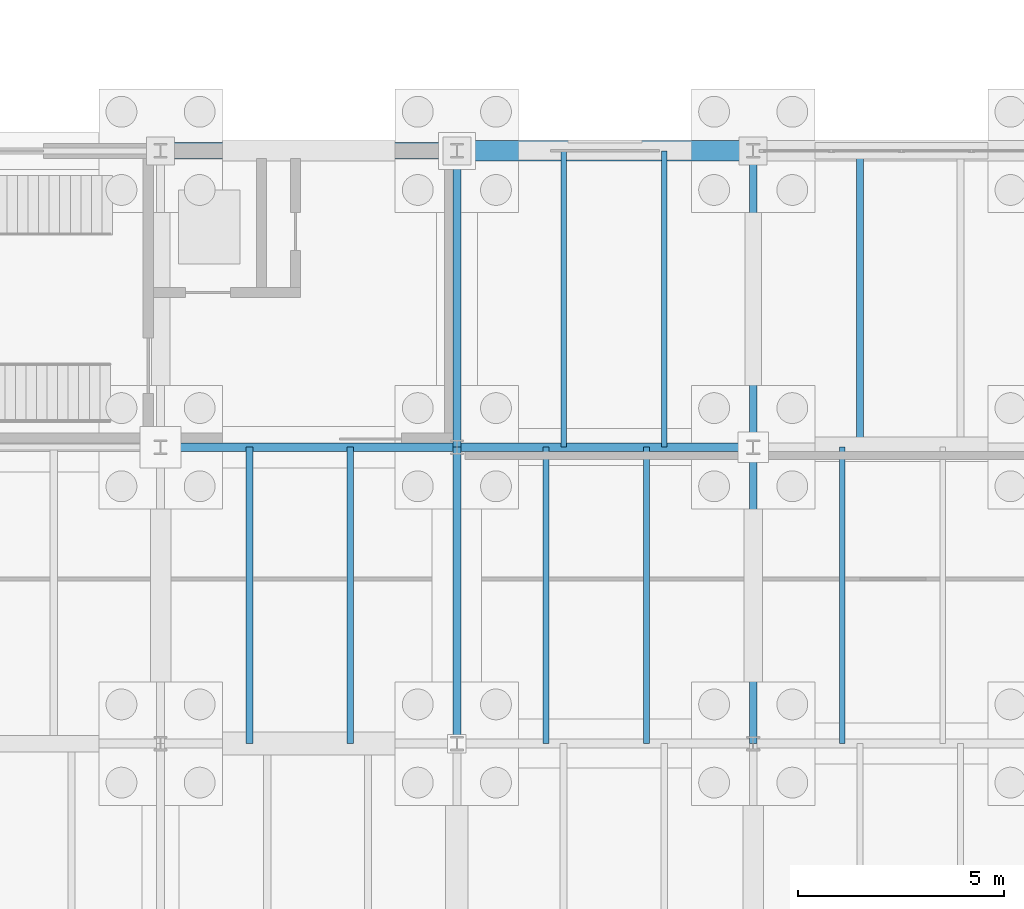
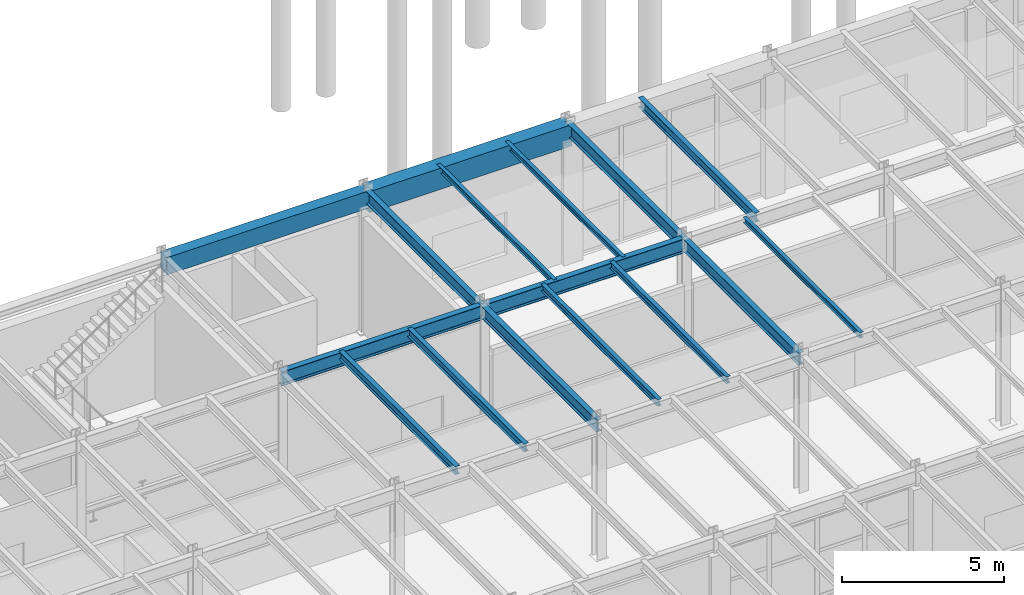
# One storey, part 88 of 293: 16 beams.
"""IFC4 building model written with IfcOpenShell, lengths in metres."""

import ifcopenshell
import ifcopenshell.guid

model = None  # the IFC model being written
_history = None  # IfcOwnerHistory: only IFC2X3 demands one
_inside = {}  # id of a spatial element -> (the spatial element, [elements in it])
_under = {}  # id of a project, library or spatial element -> (it, [spatial elements below it])
_declared = {}  # id of a project -> (the project, [libraries it declares])
_typed = {}  # id of a type object -> (the type object, [elements of that type])
_made_of = {}  # id of a material, layer set ... -> (it, [elements and type objects made of it])


def new_model(schema):
    """Start an empty IFC model of exactly this schema.

    Asked for "IFC4X3", IfcOpenShell would pick the latest addendum, in which some entities
    have other attributes; the version numbers below select the first issue.
    IFC2X3 requires an IfcOwnerHistory on every rooted entity: one is made here for all.
    """
    global model, _history
    if schema == "IFC4X3":
        model = ifcopenshell.file(schema_version=(4, 3, 0, 0))
    else:
        model = ifcopenshell.file(schema=schema)
    _inside.clear()
    _under.clear()
    _declared.clear()
    _typed.clear()
    _made_of.clear()
    _history = None
    if model.schema == "IFC2X3":
        org = make("IfcOrganization", Name="unknown")
        user = make(
            "IfcPersonAndOrganization",
            ThePerson=make("IfcPerson", FamilyName="unknown"),
            TheOrganization=org,
        )
        app = make(
            "IfcApplication",
            ApplicationDeveloper=org,
            Version="unknown",
            ApplicationFullName="unknown",
            ApplicationIdentifier="unknown",
        )
        _history = make(
            "IfcOwnerHistory",
            OwningUser=user,
            OwningApplication=app,
            ChangeAction="ADDED",
            CreationDate=0,
        )
    return model


def make(cls, **values):
    """One entity of the class cls with the attributes given. An attribute that is None is left unset."""
    return model.create_entity(
        cls, **{name: value for name, value in values.items() if value is not None}
    )


def rooted(cls, **values):
    """An entity with a GlobalId (a new one), such as an element, a storey or a relation."""
    return make(cls, GlobalId=ifcopenshell.guid.new(), OwnerHistory=_history, **values)


def si_unit(unit_type, name, prefix=None):
    """IfcSIUnit, for example si_unit("LENGTHUNIT", "METRE", prefix="MILLI")."""
    return make("IfcSIUnit", UnitType=unit_type, Prefix=prefix, Name=name)


def assignment(units):
    """IfcUnitAssignment: the units of a project."""
    return None if units is None else make("IfcUnitAssignment", Units=units)


def point(xyz):
    """IfcCartesianPoint."""
    return None if xyz is None else make("IfcCartesianPoint", Coordinates=xyz)


def direction(xyz):
    """IfcDirection."""
    return None if xyz is None else make("IfcDirection", DirectionRatios=xyz)


def frame(location, z_axis=None, x_axis=None):
    """IfcAxis2Placement3D, a coordinate frame: its origin and axes. An axis left out is left unset."""
    return make(
        "IfcAxis2Placement3D",
        Location=point(location),
        Axis=direction(z_axis),
        RefDirection=direction(x_axis),
    )


def frame_2d(location, x_axis=None):
    """IfcAxis2Placement2D, a coordinate frame in the plane: its origin and x axis."""
    return make(
        "IfcAxis2Placement2D", Location=point(location), RefDirection=direction(x_axis)
    )


def origin():
    """The frame at (0, 0, 0) with its axes left unset."""
    return frame((0.0, 0.0, 0.0))


def origin_2d():
    """The frame at (0, 0) in the plane with its x axis left unset."""
    return frame_2d((0.0, 0.0))


def place(relative_to, where):
    """IfcLocalPlacement: puts the frame where relative to a parent placement (None: the world)."""
    return make(
        "IfcLocalPlacement", PlacementRelTo=relative_to, RelativePlacement=where
    )


def context(
    kind, dimensions, precision=None, world=None, true_north=None, identifier=None
):
    """IfcGeometricRepresentationContext, for example the 3D "Model" context."""
    return make(
        "IfcGeometricRepresentationContext",
        ContextIdentifier=identifier,
        ContextType=kind,
        CoordinateSpaceDimension=dimensions,
        Precision=precision,
        WorldCoordinateSystem=world,
        TrueNorth=true_north,
    )


def subcontext(parent, identifier, kind, view, scale=None):
    """IfcGeometricRepresentationSubContext, for example "Body" below "Model"."""
    return make(
        "IfcGeometricRepresentationSubContext",
        ContextIdentifier=identifier,
        ContextType=kind,
        ParentContext=parent,
        TargetScale=scale,
        TargetView=view,
    )


def project(units=None, contexts=None):
    """IfcProject with its units and contexts."""
    return rooted(
        "IfcProject",
        Name="project",
        RepresentationContexts=contexts,
        UnitsInContext=assignment(units),
    )


def spatial(cls, under=None, at=None, **own):
    """A site, building, storey or space (cls), placed at a placement, below another one or the project."""
    s = rooted(cls, ObjectPlacement=at, **own)
    if under is not None:
        _under.setdefault(under.id(), (under, []))[1].append(s)
    return s


def profile(cls, at=None, kind="AREA", **sizes):
    """A parametric profile (cls). Its sizes go by their IFC names, for example OverallWidth=200.0."""
    return make(cls, ProfileType=kind, Position=at, **sizes)


def rectangle(**sizes):
    """IfcRectangleProfileDef."""
    return profile("IfcRectangleProfileDef", **sizes)


def i_section(**sizes):
    """IfcIShapeProfileDef."""
    return profile("IfcIShapeProfileDef", **sizes)


def extrude(swept, where, along, depth):
    """IfcExtrudedAreaSolid: the profile swept, set in the frame where, extruded along a direction by depth."""
    return make(
        "IfcExtrudedAreaSolid",
        SweptArea=swept,
        Position=where,
        ExtrudedDirection=direction(along),
        Depth=depth,
    )


def shape(context_of_items, identifier, shape_type, items):
    """IfcShapeRepresentation: the items that make up one representation, for example the "Body"."""
    return make(
        "IfcShapeRepresentation",
        ContextOfItems=context_of_items,
        RepresentationIdentifier=identifier,
        RepresentationType=shape_type,
        Items=items,
    )


def material(Name=None, Category=None):
    """IfcMaterial."""
    return make("IfcMaterial", Name=Name, Category=Category)


def material_profile(
    of_material, cross_section, Name=None, Category=None, Priority=None
):
    """IfcMaterialProfile: a cross section and its material."""
    return make(
        "IfcMaterialProfile",
        Name=Name,
        Material=of_material,
        Profile=cross_section,
        Priority=Priority,
        Category=Category,
    )


def profile_set(profiles, Name=None, composite=None):
    """IfcMaterialProfileSet."""
    return make(
        "IfcMaterialProfileSet",
        Name=Name,
        MaterialProfiles=profiles,
        CompositeProfile=composite,
    )


def made_of(thing, what):
    """Note that an element or type object is made of a material, layer set ...; save() writes the relation."""
    if what is not None:
        _made_of.setdefault(what.id(), (what, []))[1].append(thing)
    return thing


def type_object(cls, material=None, **own):
    """A type object (cls), such as IfcWallType, which elements share."""
    return made_of(rooted(cls, **own), material)


def element(
    cls,
    number,
    at=None,
    inside=None,
    cuts=None,
    type_object=None,
    material=None,
    context=None,
    identifier="Body",
    shape_type=None,
    held_by="IfcProductDefinitionShape",
    body=None,
    shapes=None,
    **own,
):
    """One element of the class cls, such as IfcWall. Its Tag is "e" and its number.

    at: its placement. inside: the storey or other place that contains it. cuts: it is an
    opening in that element (IfcRelVoidsElement). A single representation is given by context,
    identifier, shape_type and body (its items); several are given by shapes. held_by: the class
    of the entity that holds the representations. save() writes the other relations.
    """
    e = rooted(cls, Tag="e%d" % number, ObjectPlacement=at, **own)
    if body is not None:
        shapes = [shape(context, identifier, shape_type, body)]
    if shapes is not None:
        e.Representation = make(held_by, Representations=shapes)
    if inside is not None:
        _inside.setdefault(inside.id(), (inside, []))[1].append(e)
    if cuts is not None:
        rooted(
            "IfcRelVoidsElement", RelatingBuildingElement=cuts, RelatedOpeningElement=e
        )
    if type_object is not None:
        _typed.setdefault(type_object.id(), (type_object, []))[1].append(e)
    return made_of(e, material)


def aggregate(whole, parts):
    """IfcRelAggregates: a whole, such as a stair, and the parts it consists of."""
    return rooted("IfcRelAggregates", RelatingObject=whole, RelatedObjects=parts)


def save(model, path):
    """Write the relations noted so far, then the file.

    IfcRelAggregates (storeys below a building ...), IfcRelContainedInSpatialStructure (elements
    in a storey), IfcRelDefinesByType, IfcRelAssociatesMaterial and IfcRelDeclares: one each for
    every whole, place, type object, material and project.
    """
    for whole, parts in _under.values():
        aggregate(whole, parts)
    for where, things in _inside.values():
        rooted(
            "IfcRelContainedInSpatialStructure",
            RelatedElements=things,
            RelatingStructure=where,
        )
    for kind, things in _typed.values():
        rooted("IfcRelDefinesByType", RelatedObjects=things, RelatingType=kind)
    for what, things in _made_of.values():
        rooted("IfcRelAssociatesMaterial", RelatedObjects=things, RelatingMaterial=what)
    for by, libraries in _declared.values():
        rooted("IfcRelDeclares", RelatingContext=by, RelatedDefinitions=libraries)
    model.write(path)


model = new_model("IFC4")

# Units and contexts
model_context = context("Model", 3, precision=1e-05, world=origin(), true_north=direction((0.0, 1.0)))
body_context = subcontext(model_context, "Body", "Model", "MODEL_VIEW")
ifc_project = project(units=[si_unit("LENGTHUNIT", "METRE"), si_unit("AREAUNIT", "SQUARE_METRE"), si_unit("VOLUMEUNIT", "CUBIC_METRE"), si_unit("PLANEANGLEUNIT", "RADIAN"), si_unit("MASSUNIT", "GRAM", prefix="KILO")], contexts=[model_context])

# Site, building, storey
site_placement = place(None, origin())
site = spatial("IfcSite", under=ifc_project, at=site_placement, CompositionType="ELEMENT")
building_placement = place(site_placement, origin())
building = spatial("IfcBuilding", under=site, at=building_placement, Name="Kemerveld Promenade Tramway Depot", CompositionType="ELEMENT")
storey_placement = place(building_placement, origin())
storey = spatial("IfcBuildingStorey", under=building, at=storey_placement, Name="L00", CompositionType="ELEMENT", Elevation=0.0)

# Beams
ifc_material_1 = material(Name="Steel S355", Category="steel")
ifc_material_profile_1 = material_profile(ifc_material_1, i_section(OverallWidth=0.2099609375, OverallDepth=0.53662109375, WebThickness=0.0107421875, FlangeThickness=0.017333984375, FilletRadius=0.0126953125, at=origin_2d()), Name="533x210x101 UB")
ifc_profile_set_1 = profile_set([ifc_material_profile_1], Name="Steel S355")
beam_type_1 = type_object("IfcBeamType", Name="BM-G05", PredefinedType="BEAM", material=ifc_profile_set_1)
for number, where, z_axis, x_axis, name in (
    (1, (93.60009765625, 21.60009765625, 4.906494140625), (1.0, 0.0, 0.0), (0.0, 1.0, 0.0), "BMX-L00-14-15-D"),
    (2, (100.800048828125, 21.60009765625, 4.906494140625), (1.0, 0.0, 0.0), (0.0, 1.0, 0.0), "BMX-L00-15-16-D"),
):
    element("IfcBeam", number, at=place(storey_placement, frame(where, z_axis=z_axis, x_axis=x_axis)), inside=storey, type_object=beam_type_1, Name=name, PredefinedType="BEAM", context=body_context, shape_type="SweptSolid", body=[
        extrude(i_section(OverallWidth=0.2099609375, OverallDepth=0.53662109375, WebThickness=0.0107421875, FlangeThickness=0.017333984375, FilletRadius=0.0126953125, at=origin_2d()), origin(), (0.0, 0.0, 1.0), 7.199951171875),
    ])
ifc_material_profile_2 = material_profile(ifc_material_1, i_section(OverallWidth=0.19140625, OverallDepth=0.4599609375, WebThickness=0.010009765625, FlangeThickness=0.01611328125, FilletRadius=0.01025390625, at=origin_2d()), Name="457x191x82 UB")
ifc_profile_set_2 = profile_set([ifc_material_profile_2], Name="Steel S355")
beam_type_2 = type_object("IfcBeamType", Name="BM-G06", PredefinedType="BEAM", material=ifc_profile_set_2)
beam_1_placement = place(storey_placement, frame((100.800048828125, 14.39990234375, 4.945068359375), z_axis=(0.0, 1.0, 0.0), x_axis=(-1.0, 0.0, 0.0)))
element("IfcBeam", 3, at=beam_1_placement, inside=storey, type_object=beam_type_2, Name="BMY-L00-15-C-D", PredefinedType="BEAM", context=body_context, shape_type="SweptSolid", body=[
    extrude(i_section(OverallWidth=0.19140625, OverallDepth=0.4599609375, WebThickness=0.010009765625, FlangeThickness=0.01611328125, FilletRadius=0.01025390625, at=origin_2d()), origin(), (0.0, 0.0, 1.0), 7.2001953125),
])
beam_2_placement = place(storey_placement, frame((100.800048828125, 21.60009765625, 4.945068359375), z_axis=(0.0, 1.0, 0.0), x_axis=(-1.0, 0.0, 0.0)))
element("IfcBeam", 4, at=beam_2_placement, inside=storey, type_object=beam_type_2, Name="BMY-L00-15-D-E", PredefinedType="BEAM", context=body_context, shape_type="SweptSolid", body=[
    extrude(i_section(OverallWidth=0.19140625, OverallDepth=0.4599609375, WebThickness=0.010009765625, FlangeThickness=0.01611328125, FilletRadius=0.01025390625, at=origin_2d()), origin(), (0.0, 0.0, 1.0), 7.199951171875),
])
beam_3_placement = place(storey_placement, frame((108.0, 14.39990234375, 4.945068359375), z_axis=(0.0, 1.0, 0.0), x_axis=(-1.0, 0.0, 0.0)))
element("IfcBeam", 5, at=beam_3_placement, inside=storey, type_object=beam_type_2, Name="BMY-L00-16-C-D", PredefinedType="BEAM", context=body_context, shape_type="SweptSolid", body=[
    extrude(i_section(OverallWidth=0.19140625, OverallDepth=0.4599609375, WebThickness=0.010009765625, FlangeThickness=0.01611328125, FilletRadius=0.01025390625, at=origin_2d()), origin(), (0.0, 0.0, 1.0), 7.2001953125),
])
beam_4_placement = place(storey_placement, frame((108.0, 21.60009765625, 4.945068359375), z_axis=(0.0, 1.0, 0.0), x_axis=(-1.0, 0.0, 0.0)))
element("IfcBeam", 6, at=beam_4_placement, inside=storey, type_object=beam_type_2, Name="BMY-L00-16-D-E", PredefinedType="BEAM", context=body_context, shape_type="SweptSolid", body=[
    extrude(i_section(OverallWidth=0.19140625, OverallDepth=0.4599609375, WebThickness=0.010009765625, FlangeThickness=0.01611328125, FilletRadius=0.01025390625, at=origin_2d()), origin(), (0.0, 0.0, 1.0), 7.199951171875),
])
ifc_material_profile_3 = material_profile(ifc_material_1, i_section(OverallWidth=0.165771484375, OverallDepth=0.306640625, WebThickness=0.006591796875, FlangeThickness=0.01171875, FilletRadius=0.0087890625, at=origin_2d()), Name="305x165x46 UB")
ifc_profile_set_3 = profile_set([ifc_material_profile_3], Name="Steel S355")
beam_type_3 = type_object("IfcBeamType", Name="BM-J01", PredefinedType="JOIST", material=ifc_profile_set_3)
for number, where, z_axis, x_axis, name in (
    (7, (95.760009765625, 14.39990234375, 5.021728515625), (0.0, 1.0, 0.0), (-1.0, 0.0, 0.0), "JST-L00-14-C-1"),
    (8, (98.2080078125, 14.39990234375, 5.021728515625), (0.0, 1.0, 0.0), (-1.0, 0.0, 0.0), "JST-L00-14-C-2"),
):
    element("IfcBeam", number, at=place(storey_placement, frame(where, z_axis=z_axis, x_axis=x_axis)), inside=storey, type_object=beam_type_3, Name=name, PredefinedType="JOIST", context=body_context, shape_type="SweptSolid", body=[
        extrude(i_section(OverallWidth=0.165771484375, OverallDepth=0.306640625, WebThickness=0.006591796875, FlangeThickness=0.01171875, FilletRadius=0.0087890625, at=origin_2d()), origin(), (0.0, 0.0, 1.0), 7.2001953125),
    ])
ifc_material_profile_4 = material_profile(ifc_material_1, i_section(OverallWidth=0.146484375, OverallDepth=0.256103515625, WebThickness=0.00634765625, FlangeThickness=0.010986328125, FilletRadius=0.007568359375, at=origin_2d()), Name="254x146x37 UB")
ifc_profile_set_4 = profile_set([ifc_material_profile_4], Name="Steel S355")
beam_type_4 = type_object("IfcBeamType", Name="BM-J02", PredefinedType="JOIST", material=ifc_profile_set_4)
for number, where, z_axis, x_axis, name in (
    (9, (102.9599609375, 14.39990234375, 5.047119140625), (0.0, 1.0, 0.0), (-1.0, 0.0, 0.0), "JST-L00-15-C-1"),
    (10, (105.407958984375, 14.39990234375, 5.047119140625), (0.0, 1.0, 0.0), (-1.0, 0.0, 0.0), "JST-L00-15-C-2"),
):
    element("IfcBeam", number, at=place(storey_placement, frame(where, z_axis=z_axis, x_axis=x_axis)), inside=storey, type_object=beam_type_4, Name=name, PredefinedType="JOIST", context=body_context, shape_type="SweptSolid", body=[
        extrude(i_section(OverallWidth=0.146484375, OverallDepth=0.256103515625, WebThickness=0.00634765625, FlangeThickness=0.010986328125, FilletRadius=0.007568359375, at=origin_2d()), origin(), (0.0, 0.0, 1.0), 7.2001953125),
    ])
ifc_material_profile_5 = material_profile(ifc_material_1, i_section(OverallWidth=0.13330078125, OverallDepth=0.203125, WebThickness=0.005615234375, FlangeThickness=0.0078125, FilletRadius=0.007568359375, at=origin_2d()), Name="203x133x25 UB")
ifc_profile_set_5 = profile_set([ifc_material_profile_5], Name="Steel S355")
beam_type_5 = type_object("IfcBeamType", Name="BM-J03", PredefinedType="JOIST", material=ifc_profile_set_5)
for number, where, z_axis, x_axis, name in (
    (11, (103.39208984375, 21.60009765625, 5.073486328125), (0.0, 1.0, 0.0), (-1.0, 0.0, 0.0), "JST-L00-15-D-1"),
    (12, (105.840087890625, 21.60009765625, 5.073486328125), (0.0, 1.0, 0.0), (-1.0, 0.0, 0.0), "JST-L00-15-D-2"),
):
    element("IfcBeam", number, at=place(storey_placement, frame(where, z_axis=z_axis, x_axis=x_axis)), inside=storey, type_object=beam_type_5, Name=name, PredefinedType="JOIST", context=body_context, shape_type="SweptSolid", body=[
        extrude(i_section(OverallWidth=0.13330078125, OverallDepth=0.203125, WebThickness=0.005615234375, FlangeThickness=0.0078125, FilletRadius=0.007568359375, at=origin_2d()), origin(), (0.0, 0.0, 1.0), 7.199951171875),
    ])
beam_5_placement = place(storey_placement, frame((110.159912109375, 14.39990234375, 5.073486328125), z_axis=(0.0, 1.0, 0.0), x_axis=(-1.0, 0.0, 0.0)))
element("IfcBeam", 13, at=beam_5_placement, inside=storey, type_object=beam_type_5, Name="JST-L00-16-C-1", PredefinedType="JOIST", context=body_context, shape_type="SweptSolid", body=[
    extrude(i_section(OverallWidth=0.13330078125, OverallDepth=0.203125, WebThickness=0.005615234375, FlangeThickness=0.0078125, FilletRadius=0.007568359375, at=origin_2d()), origin(), (0.0, 0.0, 1.0), 7.2001953125),
])
ifc_material_profile_6 = material_profile(ifc_material_1, i_section(OverallWidth=0.172119140625, OverallDepth=0.35791015625, WebThickness=0.008056640625, FlangeThickness=0.012939453125, FilletRadius=0.01025390625, at=origin_2d()), Name="356x171x57 UB")
ifc_profile_set_6 = profile_set([ifc_material_profile_6], Name="Steel S355")
beam_type_6 = type_object("IfcBeamType", Name="BM-J04", PredefinedType="JOIST", material=ifc_profile_set_6)
beam_6_placement = place(storey_placement, frame((110.592041015625, 21.60009765625, 4.99609375), z_axis=(0.0, 1.0, 0.0), x_axis=(-1.0, 0.0, 0.0)))
element("IfcBeam", 14, at=beam_6_placement, inside=storey, type_object=beam_type_6, Name="JST-L00-16-D-1", PredefinedType="JOIST", context=body_context, shape_type="SweptSolid", body=[
    extrude(i_section(OverallWidth=0.172119140625, OverallDepth=0.35791015625, WebThickness=0.008056640625, FlangeThickness=0.012939453125, FilletRadius=0.01025390625, at=origin_2d()), origin(), (0.0, 0.0, 1.0), 7.199951171875),
])
ifc_material_2 = material(Name="Concrete C40/50", Category="concrete")
ifc_material_profile_7 = material_profile(ifc_material_2, rectangle(XDim=0.39990234375, YDim=0.64990234375, at=origin_2d()), Name="RC-BM-400x650")
ifc_profile_set_7 = profile_set([ifc_material_profile_7], Name="Concrete C40/50")
beam_type_7 = type_object("IfcBeamType", Name="BM-RC1", PredefinedType="BEAM", material=ifc_profile_set_7)
beam_7_placement = place(storey_placement, frame((93.60009765625, 28.800048828125, 4.85009765625), z_axis=(1.0, 0.0, 0.0), x_axis=(0.0, 1.0, 0.0)))
element("IfcBeam", 15, at=beam_7_placement, inside=storey, type_object=beam_type_7, Name="BMX-L00-14-15-E", PredefinedType="BEAM", context=body_context, shape_type="SweptSolid", body=[
    extrude(rectangle(XDim=0.39990234375, YDim=0.64990234375, at=origin_2d()), origin(), (0.0, 0.0, 1.0), 7.199951171875),
])
ifc_material_profile_8 = material_profile(ifc_material_2, rectangle(XDim=0.5, YDim=0.800048828125, at=origin_2d()), Name="RC-BM-500x800")
ifc_profile_set_8 = profile_set([ifc_material_profile_8], Name="Concrete C40/50")
beam_type_8 = type_object("IfcBeamType", Name="BM-RC2", PredefinedType="BEAM", material=ifc_profile_set_8)
beam_8_placement = place(storey_placement, frame((100.800048828125, 28.800048828125, 4.77490234375), z_axis=(1.0, 0.0, 0.0), x_axis=(0.0, 1.0, 0.0)))
element("IfcBeam", 16, at=beam_8_placement, inside=storey, type_object=beam_type_8, Name="BMX-L00-15-16-E", PredefinedType="BEAM", context=body_context, shape_type="SweptSolid", body=[
    extrude(rectangle(XDim=0.5, YDim=0.800048828125, at=origin_2d()), origin(), (0.0, 0.0, 1.0), 7.199951171875),
])

save(model, "model.ifc")
